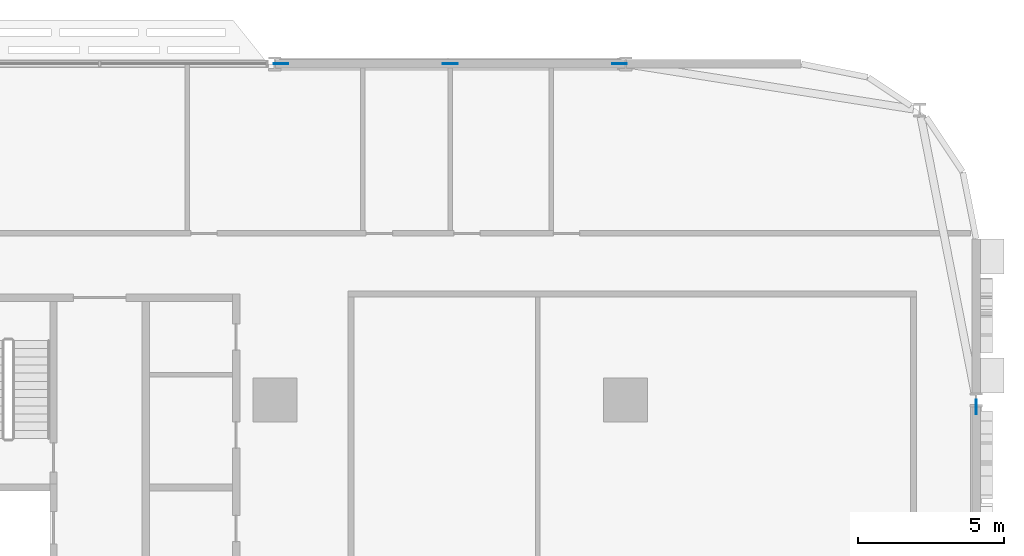
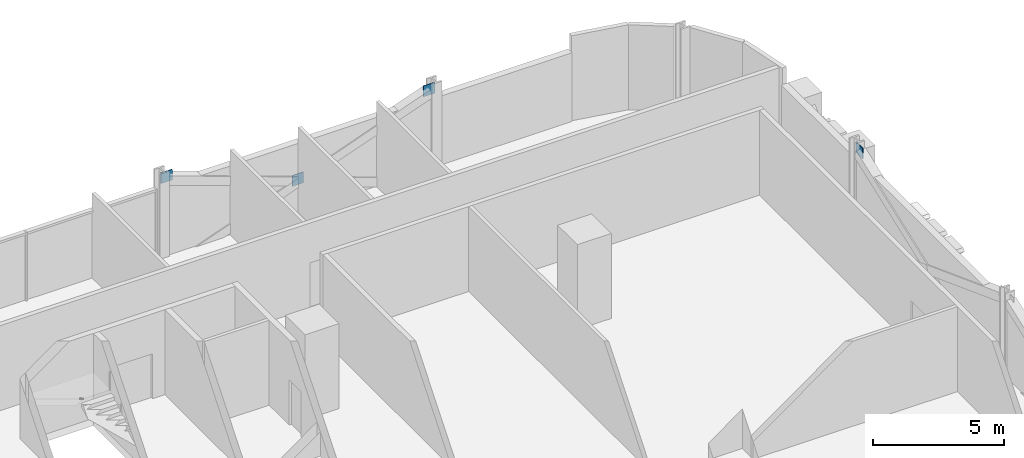
# One storey, part 23 of 29: 4 discrete accessories.
"""IFC4 building model written with IfcOpenShell, lengths in metres."""

from ifc_helpers import new_model, si_unit, direction, frame, origin, origin_2d, place, context, subcontext, project, spatial, rectangle, extrude, material, layer, layer_set, type_object, element, save


model = new_model("IFC4")

# Units and contexts
model_context = context("Model", 3, precision=1e-05, world=origin(), true_north=direction((0.0, 1.0)))
body_context = subcontext(model_context, "Body", "Model", "MODEL_VIEW")
ifc_project = project(units=[si_unit("LENGTHUNIT", "METRE"), si_unit("AREAUNIT", "SQUARE_METRE"), si_unit("VOLUMEUNIT", "CUBIC_METRE"), si_unit("PLANEANGLEUNIT", "RADIAN"), si_unit("MASSUNIT", "GRAM", prefix="KILO")], contexts=[model_context])

# Site, building, storey
site_placement = place(None, origin())
site = spatial("IfcSite", under=ifc_project, at=site_placement, CompositionType="ELEMENT")
building_placement = place(site_placement, origin())
building = spatial("IfcBuilding", under=site, at=building_placement, Name="Mahtab Terrace Research Tower", CompositionType="ELEMENT")
storey_placement = place(building_placement, frame((0.0, 0.0, 71.800048828125)))
storey = spatial("IfcBuildingStorey", under=building, at=storey_placement, Name="L16", CompositionType="ELEMENT", Elevation=71.800048828125)

# Discrete accessories
ifc_material = material(Name="Steel ASTM A992 Gr 50", Category="steel")
ifc_layer = layer(ifc_material, 0.030029296875)
ifc_layer_set = layer_set([ifc_layer], Name="Gusset plate 500x500x30")
discrete_accessory_type = type_object("IfcDiscreteAccessoryType", Name="Gusset plate 500x500x30", PredefinedType="USERDEFINED", material=ifc_layer_set)
for number, where, z_axis, x_axis, name in (
    (1, (30.212158203125, 23.0, 3.32958984375), (0.0, 0.0, 1.0), (1.0, 0.0, 0.0), "Gusset plate"),
    (2, (36.0, 23.0, 1.181396484375), (0.0, 0.0, 1.0), (1.0, 0.0, 0.0), "Gusset plate"),
    (3, (41.787841796875, 23.0, 3.32958984375), (0.0, 0.0, 1.0), (1.0, 0.0, 0.0), "Gusset plate"),
    (4, (54.0, 11.262451171875, 3.329345703125), (0.0, 0.0, 1.0), (0.0, 1.0, 0.0), "Gusset plate"),
):
    element("IfcDiscreteAccessory", number, at=place(storey_placement, frame(where, z_axis=z_axis, x_axis=x_axis)), inside=storey, type_object=discrete_accessory_type, Name=name, ObjectType="GUSSET PLATE", PredefinedType="USERDEFINED", context=body_context, shape_type="SweptSolid", body=[
        extrude(rectangle(XDim=0.5, YDim=0.030029296875, at=origin_2d()), origin(), (0.0, 0.0, 1.0), 0.5),
    ])

save(model, "model.ifc")
